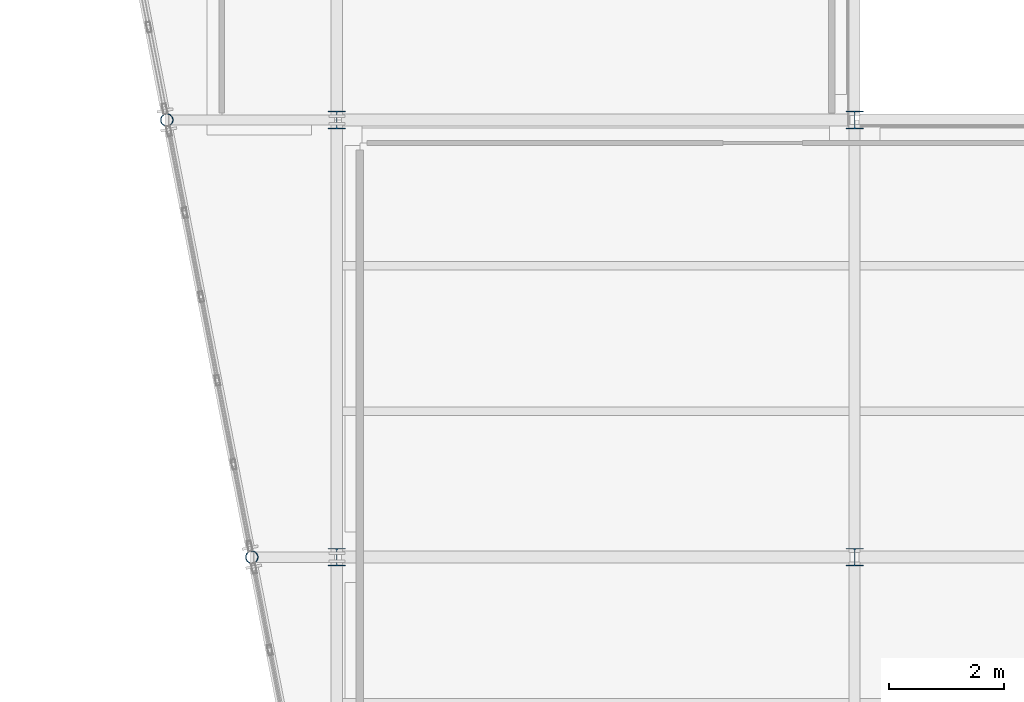
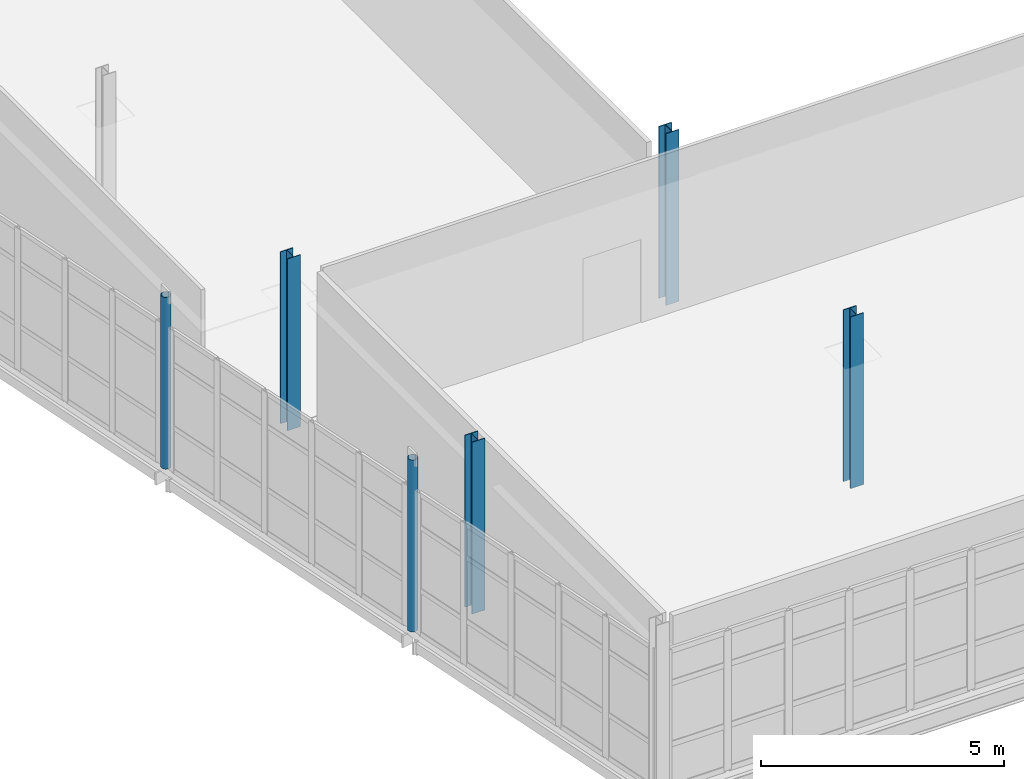
# One storey, part 14 of 166: 6 columns.
"""IFC4 building model written with IfcOpenShell, lengths in metres."""

from ifc_helpers import new_model, si_unit, direction, frame, origin, origin_2d, place, context, subcontext, project, spatial, hollow_circle, i_section, extrude, material, material_profile, profile_set, type_object, element, save


model = new_model("IFC4")

# Units and contexts
model_context = context("Model", 3, precision=1e-05, world=origin(), true_north=direction((0.0, 1.0)))
body_context = subcontext(model_context, "Body", "Model", "MODEL_VIEW")
ifc_project = project(units=[si_unit("LENGTHUNIT", "METRE"), si_unit("AREAUNIT", "SQUARE_METRE"), si_unit("VOLUMEUNIT", "CUBIC_METRE"), si_unit("PLANEANGLEUNIT", "RADIAN"), si_unit("MASSUNIT", "GRAM", prefix="KILO")], contexts=[model_context])

# Site, building, storey
site_placement = place(None, origin())
site = spatial("IfcSite", under=ifc_project, at=site_placement, CompositionType="ELEMENT")
building_placement = place(site_placement, origin())
building = spatial("IfcBuilding", under=site, at=building_placement, Name="Caisbarro Railhouse Central Library", CompositionType="ELEMENT")
storey_placement = place(building_placement, frame((0.0, 0.0, 9.360107421875)))
storey = spatial("IfcBuildingStorey", under=building, at=storey_placement, Name="L02", CompositionType="ELEMENT", Elevation=9.360107421875)

# Columns
ifc_material = material(Name="Steel ASTM A572 Grade 50", Category="steel")
ifc_material_profile_1 = material_profile(ifc_material, i_section(OverallWidth=0.305908203125, OverallDepth=0.31103515625, WebThickness=0.010986328125, FlangeThickness=0.01708984375, FilletRadius=0.014892578125, at=origin_2d()), Name="W310X107.0")
ifc_profile_set_1 = profile_set([ifc_material_profile_1], Name="Steel ASTM A572 Grade 50")
column_type_1 = type_object("IfcColumnType", Name="COL-C06", PredefinedType="COLUMN", material=ifc_profile_set_1)
for number, where, z_axis, x_axis, name in (
    (1, (117.0, 68.39990234375, 0.0), (0.0, 0.0, 1.0), (1.0, 0.0, 0.0), "C06 column L02 (117.0,68.4)"),
    (2, (117.0, 76.0, 0.0), (0.0, 0.0, 1.0), (1.0, 0.0, 0.0), "C06 column L02 (117.0,76.0)"),
    (3, (126.0, 68.39990234375, 0.0), (0.0, 0.0, 1.0), (1.0, 0.0, 0.0), "C06 column L02 (126.0,68.4)"),
    (4, (126.0, 76.0, 0.0), (0.0, 0.0, 1.0), (1.0, 0.0, 0.0), "C06 column L02 (126.0,76.0)"),
):
    element("IfcColumn", number, at=place(storey_placement, frame(where, z_axis=z_axis, x_axis=x_axis)), inside=storey, type_object=column_type_1, Name=name, PredefinedType="COLUMN", context=body_context, shape_type="SweptSolid", body=[
        extrude(i_section(OverallWidth=0.305908203125, OverallDepth=0.31103515625, WebThickness=0.010986328125, FlangeThickness=0.01708984375, FilletRadius=0.014892578125, at=origin_2d()), origin(), (0.0, 0.0, 1.0), 4.31982421875),
    ])
ifc_material_profile_2 = material_profile(ifc_material, hollow_circle(Radius=0.109619140625, WallThickness=0.010009765625, at=origin_2d()), Name="CHS219.1X10")
ifc_profile_set_2 = profile_set([ifc_material_profile_2], Name="Steel ASTM A572 Grade 50")
column_type_2 = type_object("IfcColumnType", Name="COL-C13", PredefinedType="COLUMN", material=ifc_profile_set_2)
for number, where, z_axis, x_axis, name in (
    (5, (114.044921875, 76.0, 0.0), (0.0, 0.0, 1.0), (0.981627183448, 0.190808995377, 0.0), "C13 column L02 (114.0,76.0)"),
    (6, (115.52294921875, 68.39990234375, 0.0), (0.0, 0.0, 1.0), (0.981627183448, 0.190808995377, 0.0), "C13 column L02 (115.5,68.4)"),
):
    element("IfcColumn", number, at=place(storey_placement, frame(where, z_axis=z_axis, x_axis=x_axis)), inside=storey, type_object=column_type_2, Name=name, PredefinedType="COLUMN", context=body_context, shape_type="SweptSolid", body=[
        extrude(hollow_circle(Radius=0.109619140625, WallThickness=0.010009765625, at=origin_2d()), origin(), (0.0, 0.0, 1.0), 4.31982421875),
    ])

save(model, "model.ifc")
